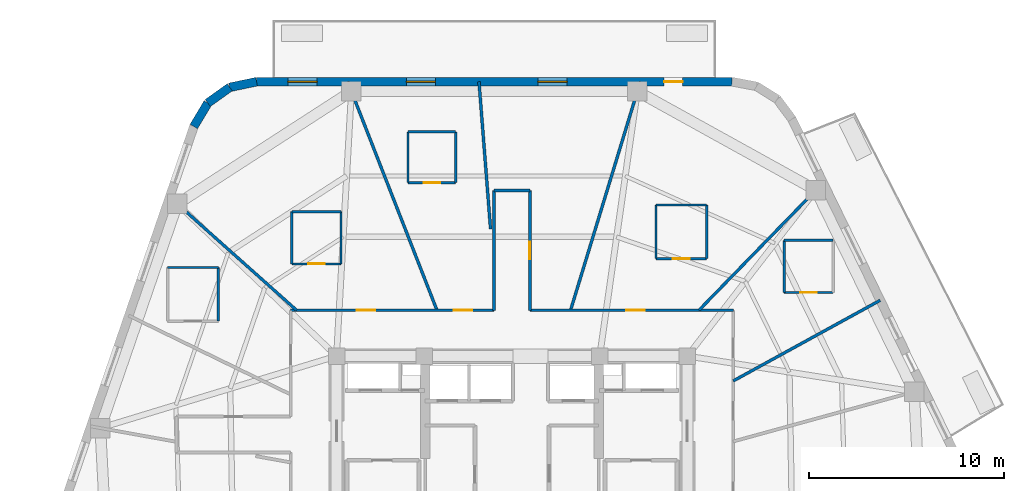
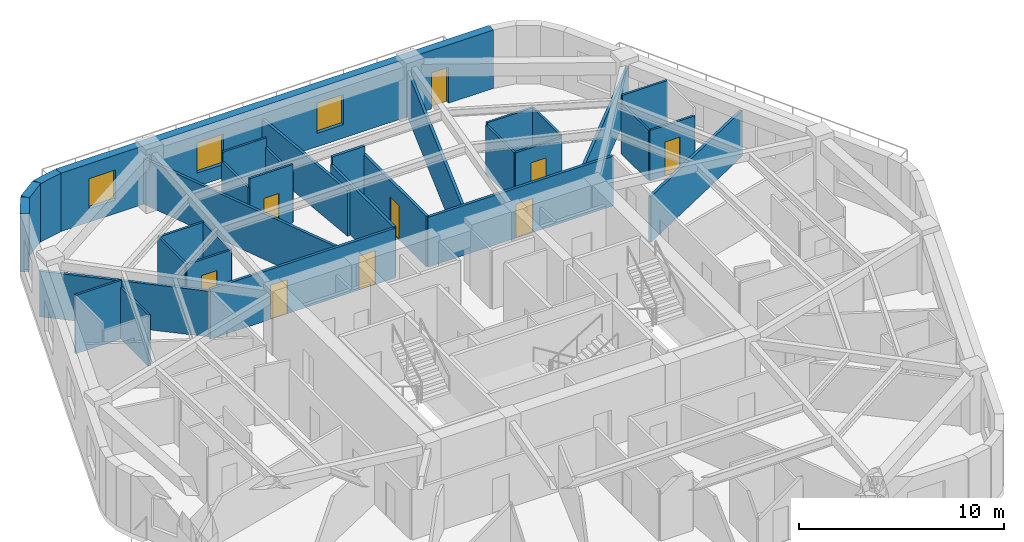
# One storey, part 6 of 10: 32 walls, 9 doors, 3 windows, 12 openings.
"""IFC4 building model written with IfcOpenShell, lengths in metres."""

from ifc_helpers import new_model, si_unit, direction, frame, frame_2d, origin, place, context, subcontext, project, spatial, rectangle, extrude, material, layer, layer_set, type_object, element, fill, save


model = new_model("IFC4")

# Units and contexts
model_context = context("Model", 3, precision=1e-05, world=origin(), true_north=direction((0.0, 1.0)))
body_context = subcontext(model_context, "Body", "Model", "MODEL_VIEW")
ifc_project = project(units=[si_unit("LENGTHUNIT", "METRE"), si_unit("AREAUNIT", "SQUARE_METRE"), si_unit("VOLUMEUNIT", "CUBIC_METRE"), si_unit("PLANEANGLEUNIT", "RADIAN"), si_unit("MASSUNIT", "GRAM", prefix="KILO")], contexts=[model_context])

# Site, building, storey
site_placement = place(None, origin())
site = spatial("IfcSite", under=ifc_project, at=site_placement, CompositionType="ELEMENT")
building_placement = place(site_placement, origin())
building = spatial("IfcBuilding", under=site, at=building_placement, Name="Kilnhurst Terrace Hotel", CompositionType="ELEMENT")
storey_placement = place(building_placement, frame((0.0, 0.0, 252.10009765625)))
storey = spatial("IfcBuildingStorey", under=building, at=storey_placement, Name="L63", CompositionType="ELEMENT", Elevation=252.10009765625)

# Walls
ifc_material_1 = material(Name="Precast concrete C40/50", Category="concrete")
ifc_layer_1 = layer(ifc_material_1, 0.449951171875, Name="Precast concrete C40/50")
ifc_layer_set_1 = layer_set([ifc_layer_1], Name="Precast concrete C40/50")
wall_type_1 = type_object("IfcWallType", Name="WL-BRK-450", PredefinedType="SOLIDWALL", material=ifc_layer_set_1)
wall_1_placement = place(storey_placement, frame((-13.1015625, 21.574951171875, 0.0), z_axis=(0.0, 0.0, 1.0), x_axis=(-0.978757421505, -0.205021730188, 0.0)))
element("IfcWall", 1, at=wall_1_placement, inside=storey, type_object=wall_type_1, Name="L63 Rounded Corner Brick Wall C5.1", PredefinedType="SOLIDWALL", context=body_context, shape_type="SweptSolid", body=[
    extrude(rectangle(XDim=1.40625, YDim=0.449951171875, at=frame_2d((0.703125, 0.0))), origin(), (0.0, 0.0, 1.0), 3.47998046875),
])
wall_2_placement = place(storey_placement, frame((-14.47802734375, 21.28662109375, 0.0), z_axis=(0.0, 0.0, 1.0), x_axis=(-0.813888518617, -0.58102106611, 0.0)))
element("IfcWall", 2, at=wall_2_placement, inside=storey, type_object=wall_type_1, Name="L63 Rounded Corner Brick Wall C5.2", PredefinedType="SOLIDWALL", context=body_context, shape_type="SweptSolid", body=[
    extrude(rectangle(XDim=1.3828125, YDim=0.449951171875, at=frame_2d((0.69140625, 0.0))), origin(), (0.0, 0.0, 1.0), 3.47998046875),
])
wall_3_placement = place(storey_placement, frame((-15.603515625, 20.483154296875, 0.0), z_axis=(0.0, 0.0, 1.0), x_axis=(-0.512222149036, -0.858852996756, 0.0)))
element("IfcWall", 3, at=wall_3_placement, inside=storey, type_object=wall_type_1, Name="L63 Rounded Corner Brick Wall C5.3", PredefinedType="SOLIDWALL", context=body_context, shape_type="SweptSolid", body=[
    extrude(rectangle(XDim=1.406494140625, YDim=0.449951171875, at=frame_2d((0.703125, 0.0))), origin(), (0.0, 0.0, 1.0), 3.47998046875),
])

# Wall, openings, door, windows
wall_4_placement = place(storey_placement, frame((11.297607421875, 21.574951171875, 0.0), z_axis=(0.0, 0.0, 1.0), x_axis=(-1.0, 0.0, 0.0)))
wall_4 = element("IfcWall", 4, at=wall_4_placement, inside=storey, type_object=wall_type_1, Name="L63 Exterior Brick Facade Wall F4", PredefinedType="SOLIDWALL", context=body_context, shape_type="SweptSolid", body=[
    extrude(rectangle(XDim=24.399169921875, YDim=0.449951171875, at=frame_2d((12.19970703125, 0.0))), origin(), (0.0, 0.0, 1.0), 3.47998046875),
])
opening_1_placement = place(wall_4_placement, frame((2.550048828125, 0.0, 0.0)))
opening_1 = element("IfcOpeningElement", 5, at=opening_1_placement, cuts=wall_4, Name="Opening BD-950", PredefinedType="OPENING", context=body_context, shape_type="SweptSolid", body=[
    extrude(rectangle(XDim=0.949951171875, YDim=2.14990234375, at=frame_2d((0.47509765625, 1.074951171875))), frame((0.0, 0.23486328125, 0.0), z_axis=(0.0, -1.0, 0.0), x_axis=(1.0, 0.0, 0.0)), (0.0, 0.0, 1.0), 0.469970703125),
])
opening_2_placement = place(wall_4_placement, frame((8.468994140625, 0.0, 0.800048828125)))
opening_2 = element("IfcOpeningElement", 6, at=opening_2_placement, cuts=wall_4, Name="Opening W-02", PredefinedType="OPENING", context=body_context, shape_type="SweptSolid", body=[
    extrude(rectangle(XDim=1.5, YDim=1.800048828125, at=frame_2d((0.75, 0.89990234375))), frame((0.0, 0.23486328125, 0.0), z_axis=(0.0, -1.0, 0.0), x_axis=(1.0, 0.0, 0.0)), (0.0, 0.0, 1.0), 0.469970703125),
])
opening_3_placement = place(wall_4_placement, frame((15.221923828125, 0.0, 0.800048828125)))
opening_3 = element("IfcOpeningElement", 7, at=opening_3_placement, cuts=wall_4, Name="Opening W-02", PredefinedType="OPENING", context=body_context, shape_type="SweptSolid", body=[
    extrude(rectangle(XDim=1.5, YDim=1.800048828125, at=frame_2d((0.75, 0.89990234375))), frame((0.0, 0.23486328125, 0.0), z_axis=(0.0, -1.0, 0.0), x_axis=(1.0, 0.0, 0.0)), (0.0, 0.0, 1.0), 0.469970703125),
])
opening_4_placement = place(wall_4_placement, frame((21.2958984375, 0.0, 0.800048828125)))
opening_4 = element("IfcOpeningElement", 8, at=opening_4_placement, cuts=wall_4, Name="Opening W-02", PredefinedType="OPENING", context=body_context, shape_type="SweptSolid", body=[
    extrude(rectangle(XDim=1.5, YDim=1.800048828125, at=frame_2d((0.75, 0.89990234375))), frame((0.0, 0.23486328125, 0.0), z_axis=(0.0, -1.0, 0.0), x_axis=(1.0, 0.0, 0.0)), (0.0, 0.0, 1.0), 0.469970703125),
])
ifc_material_2 = material(Name="Thermally Broken Bronze Aluminium Alloy 6063-T6 and Laminated Glass", Category="aluminium")
door_type_1 = type_object("IfcDoorType", Name="DR-EXT-BAL-950", OperationType="NOTDEFINED", PredefinedType="DOOR", material=ifc_material_2)
door_1_placement = place(opening_1_placement, origin())
door_1 = element("IfcDoor", 9, at=door_1_placement, inside=storey, type_object=door_type_1, Name="L63 Planted Balcony Door BAL-L1B", OperationType="SINGLE_SWING_RIGHT", OverallHeight=2.14990234375, OverallWidth=0.949951171875, PredefinedType="DOOR", context=body_context, shape_type="SweptSolid", body=[
    extrude(rectangle(XDim=0.949951171875, YDim=2.14990234375, at=frame_2d((0.47509765625, 1.074951171875))), frame((0.0, 0.02490234375, 0.0), z_axis=(0.0, -1.0, 0.0), x_axis=(1.0, 0.0, 0.0)), (0.0, 0.0, 1.0), 0.050048828125),
])
fill(opening_1, door_1)
ifc_material_3 = material(Name="Thermally Broken Bronze Aluminium Alloy 6063-T6 and Low-E Glass", Category="aluminium")
window_type = type_object("IfcWindowType", Name="WIN-1500X1800", PartitioningType="SINGLE_PANEL", PredefinedType="WINDOW", material=ifc_material_3)
window_1_placement = place(opening_2_placement, origin())
window_1 = element("IfcWindow", 10, at=window_1_placement, inside=storey, type_object=window_type, Name="L63 Deep-Set Masonry Window F4.1", OverallHeight=1.800048828125, OverallWidth=1.5, PartitioningType="SINGLE_PANEL", PredefinedType="WINDOW", context=body_context, shape_type="SweptSolid", body=[
    extrude(rectangle(XDim=1.5, YDim=1.800048828125, at=frame_2d((0.75, 0.89990234375))), frame((0.0, 0.030029296875, 0.0), z_axis=(0.0, -1.0, 0.0), x_axis=(1.0, 0.0, 0.0)), (0.0, 0.0, 1.0), 0.06005859375),
])
fill(opening_2, window_1)
window_2_placement = place(opening_3_placement, origin())
window_2 = element("IfcWindow", 11, at=window_2_placement, inside=storey, type_object=window_type, Name="L63 Deep-Set Masonry Window F4.2", OverallHeight=1.800048828125, OverallWidth=1.5, PartitioningType="SINGLE_PANEL", PredefinedType="WINDOW", context=body_context, shape_type="SweptSolid", body=[
    extrude(rectangle(XDim=1.5, YDim=1.800048828125, at=frame_2d((0.75, 0.89990234375))), frame((0.0, 0.030029296875, 0.0), z_axis=(0.0, -1.0, 0.0), x_axis=(1.0, 0.0, 0.0)), (0.0, 0.0, 1.0), 0.06005859375),
])
fill(opening_3, window_2)
window_3_placement = place(opening_4_placement, origin())
window_3 = element("IfcWindow", 12, at=window_3_placement, inside=storey, type_object=window_type, Name="L63 Deep-Set Masonry Window F4.3", OverallHeight=1.800048828125, OverallWidth=1.5, PartitioningType="SINGLE_PANEL", PredefinedType="WINDOW", context=body_context, shape_type="SweptSolid", body=[
    extrude(rectangle(XDim=1.5, YDim=1.800048828125, at=frame_2d((0.75, 0.89990234375))), frame((0.0, 0.030029296875, 0.0), z_axis=(0.0, -1.0, 0.0), x_axis=(1.0, 0.0, 0.0)), (0.0, 0.0, 1.0), 0.06005859375),
])
fill(opening_4, window_3)

# Wall, openings, doors
ifc_material_4 = material(Name="Acoustic Double-Gypsum Corridor Partition Assembly")
ifc_layer_2 = layer(ifc_material_4, 0.14990234375, Name="Acoustic Double-Gypsum Corridor Partition Assembly")
ifc_layer_set_2 = layer_set([ifc_layer_2], Name="Acoustic Double-Gypsum Corridor Partition Assembly")
wall_type_2 = type_object("IfcWallType", Name="WL-COR-150", PredefinedType="PARTITIONING", material=ifc_layer_set_2)
wall_5_placement = place(storey_placement, frame((-11.35009765625, 9.85009765625, 0.0), z_axis=(0.0, 0.0, 1.0), x_axis=(1.0, 0.0, 0.0)))
wall_5 = element("IfcWall", 13, at=wall_5_placement, inside=storey, type_object=wall_type_2, Name="L63 Interior Wall WL-L63-COR-06", PredefinedType="PARTITIONING", context=body_context, shape_type="SweptSolid", body=[
    extrude(rectangle(XDim=10.43017578125, YDim=0.14990234375, at=frame_2d((5.215087890625, 0.0))), origin(), (0.0, 0.0, 1.0), 2.969970703125),
])
opening_5_placement = place(wall_5_placement, frame((8.362060546875, 0.0, 0.0)))
opening_5 = element("IfcOpeningElement", 14, at=opening_5_placement, cuts=wall_5, Name="Opening D-60B", PredefinedType="OPENING", context=body_context, shape_type="SweptSolid", body=[
    extrude(rectangle(XDim=0.949951171875, YDim=2.030029296875, at=frame_2d((0.47509765625, 1.01513671875))), frame((0.0, 0.0849609375, 0.0), z_axis=(0.0, -1.0, 0.0), x_axis=(1.0, 0.0, 0.0)), (0.0, 0.0, 1.0), 0.169921875),
])
opening_6_placement = place(wall_5_placement, frame((3.39599609375, 0.0, 0.0)))
opening_6 = element("IfcOpeningElement", 15, at=opening_6_placement, cuts=wall_5, Name="Opening D-60B", PredefinedType="OPENING", context=body_context, shape_type="SweptSolid", body=[
    extrude(rectangle(XDim=0.949951171875, YDim=2.030029296875, at=frame_2d((0.47509765625, 1.01513671875))), frame((0.0, 0.0849609375, 0.0), z_axis=(0.0, -1.0, 0.0), x_axis=(1.0, 0.0, 0.0)), (0.0, 0.0, 1.0), 0.169921875),
])
ifc_material_5 = material(Name="Acoustic Walnut Veneer Solid-Core Fire Door")
door_type_2 = type_object("IfcDoorType", Name="DR-FD60-950", OperationType="NOTDEFINED", PredefinedType="DOOR", material=ifc_material_5)
door_2_placement = place(opening_5_placement, origin())
door_2 = element("IfcDoor", 16, at=door_2_placement, inside=storey, type_object=door_type_2, Name="L63 Guest Room Entry Door 5", OperationType="SINGLE_SWING_LEFT", OverallHeight=2.030029296875, OverallWidth=0.949951171875, PredefinedType="DOOR", context=body_context, shape_type="SweptSolid", body=[
    extrude(rectangle(XDim=0.949951171875, YDim=2.030029296875, at=frame_2d((0.47509765625, 1.01513671875))), frame((0.0, 0.02490234375, 0.0), z_axis=(0.0, -1.0, 0.0), x_axis=(1.0, 0.0, 0.0)), (0.0, 0.0, 1.0), 0.050048828125),
])
fill(opening_5, door_2)
door_3_placement = place(opening_6_placement, origin())
door_3 = element("IfcDoor", 17, at=door_3_placement, inside=storey, type_object=door_type_2, Name="L63 Executive Suite Entry Door 6", OperationType="SINGLE_SWING_RIGHT", OverallHeight=2.030029296875, OverallWidth=0.949951171875, PredefinedType="DOOR", context=body_context, shape_type="SweptSolid", body=[
    extrude(rectangle(XDim=0.949951171875, YDim=2.030029296875, at=frame_2d((0.47509765625, 1.01513671875))), frame((0.0, 0.02490234375, 0.0), z_axis=(0.0, -1.0, 0.0), x_axis=(1.0, 0.0, 0.0)), (0.0, 0.0, 1.0), 0.050048828125),
])
fill(opening_6, door_3)

# Walls
wall_6_placement = place(storey_placement, frame((-0.919921875, 9.85009765625, 0.0), z_axis=(0.0, 0.0, 1.0), x_axis=(0.0, 1.0, 0.0)))
element("IfcWall", 18, at=wall_6_placement, inside=storey, type_object=wall_type_2, Name="L63 Interior Wall WL-L63-COR-07", PredefinedType="PARTITIONING", context=body_context, shape_type="SweptSolid", body=[
    extrude(rectangle(XDim=6.14990234375, YDim=0.14990234375, at=frame_2d((3.074951171875, 0.0))), origin(), (0.0, 0.0, 1.0), 3.00634765625),
])
wall_7_placement = place(storey_placement, frame((-0.919921875, 16.0, 0.0), z_axis=(0.0, 0.0, 1.0), x_axis=(1.0, 0.0, 0.0)))
element("IfcWall", 19, at=wall_7_placement, inside=storey, type_object=wall_type_2, Name="L63 Interior Wall WL-L63-COR-08", PredefinedType="PARTITIONING", context=body_context, shape_type="SweptSolid", body=[
    extrude(rectangle(XDim=1.83984375, YDim=0.14990234375, at=frame_2d((0.919921875, 0.0))), origin(), (0.0, 0.0, 1.0), 3.47998046875),
])

# Wall, opening, door
wall_8_placement = place(storey_placement, frame((0.919921875, 16.0, 0.0), z_axis=(0.0, 0.0, 1.0), x_axis=(0.0, -1.0, 0.0)))
wall_8 = element("IfcWall", 20, at=wall_8_placement, inside=storey, type_object=wall_type_2, Name="L63 Interior Wall WL-L63-COR-09", PredefinedType="PARTITIONING", context=body_context, shape_type="SweptSolid", body=[
    extrude(rectangle(XDim=6.14990234375, YDim=0.14990234375, at=frame_2d((3.074951171875, 0.0))), origin(), (0.0, 0.0, 1.0), 3.00634765625),
])
opening_7_placement = place(wall_8_placement, frame((2.625, 0.0, 0.0)))
opening_7 = element("IfcOpeningElement", 21, at=opening_7_placement, cuts=wall_8, Name="Opening D-60C", PredefinedType="OPENING", context=body_context, shape_type="SweptSolid", body=[
    extrude(rectangle(XDim=0.89990234375, YDim=2.030029296875, at=frame_2d((0.449951171875, 1.01513671875))), frame((0.0, 0.0849609375, 0.0), z_axis=(0.0, -1.0, 0.0), x_axis=(1.0, 0.0, 0.0)), (0.0, 0.0, 1.0), 0.169921875),
])
ifc_material_6 = material(Name="Painted Solid-Core Service Fire Door")
door_type_3 = type_object("IfcDoorType", Name="DR-FD60-900", OperationType="NOTDEFINED", PredefinedType="DOOR", material=ifc_material_6)
door_4_placement = place(opening_7_placement, origin())
door_4 = element("IfcDoor", 22, at=door_4_placement, inside=storey, type_object=door_type_3, Name="L63 Executive Work Office Door 4", OperationType="SINGLE_SWING_RIGHT", OverallHeight=2.030029296875, OverallWidth=0.89990234375, PredefinedType="DOOR", context=body_context, shape_type="SweptSolid", body=[
    extrude(rectangle(XDim=0.89990234375, YDim=2.030029296875, at=frame_2d((0.449951171875, 1.01513671875))), frame((0.0, 0.02490234375, 0.0), z_axis=(0.0, -1.0, 0.0), x_axis=(1.0, 0.0, 0.0)), (0.0, 0.0, 1.0), 0.050048828125),
])
fill(opening_7, door_4)

wall_9_placement = place(storey_placement, frame((0.919921875, 9.85009765625, 0.0), z_axis=(0.0, 0.0, 1.0), x_axis=(1.0, 0.0, 0.0)))
wall_9 = element("IfcWall", 23, at=wall_9_placement, inside=storey, type_object=wall_type_2, Name="L63 Interior Wall WL-L63-COR-10", PredefinedType="PARTITIONING", context=body_context, shape_type="SweptSolid", body=[
    extrude(rectangle(XDim=10.43017578125, YDim=0.14990234375, at=frame_2d((5.215087890625, 0.0))), origin(), (0.0, 0.0, 1.0), 2.969970703125),
])
opening_8_placement = place(wall_9_placement, frame((4.948974609375, 0.0, 0.0)))
opening_8 = element("IfcOpeningElement", 24, at=opening_8_placement, cuts=wall_9, Name="Opening D-60B", PredefinedType="OPENING", context=body_context, shape_type="SweptSolid", body=[
    extrude(rectangle(XDim=0.949951171875, YDim=2.030029296875, at=frame_2d((0.47509765625, 1.01513671875))), frame((0.0, 0.0849609375, 0.0), z_axis=(0.0, -1.0, 0.0), x_axis=(1.0, 0.0, 0.0)), (0.0, 0.0, 1.0), 0.169921875),
])
door_5_placement = place(opening_8_placement, origin())
door_5 = element("IfcDoor", 25, at=door_5_placement, inside=storey, type_object=door_type_2, Name="L63 Executive Suite Entry Door 3", OperationType="SINGLE_SWING_LEFT", OverallHeight=2.030029296875, OverallWidth=0.949951171875, PredefinedType="DOOR", context=body_context, shape_type="SweptSolid", body=[
    extrude(rectangle(XDim=0.949951171875, YDim=2.030029296875, at=frame_2d((0.47509765625, 1.01513671875))), frame((0.0, 0.02490234375, 0.0), z_axis=(0.0, -1.0, 0.0), x_axis=(1.0, 0.0, 0.0)), (0.0, 0.0, 1.0), 0.050048828125),
])
fill(opening_8, door_5)

# Walls
ifc_material_7 = material(Name="STC-58 Acoustic Twin-Frame Guestroom Demising Partition")
ifc_layer_3 = layer(ifc_material_7, 0.14990234375, Name="STC-58 Acoustic Twin-Frame Guestroom Demising Partition")
ifc_layer_set_3 = layer_set([ifc_layer_3], Name="STC-58 Acoustic Twin-Frame Guestroom Demising Partition")
wall_type_3 = type_object("IfcWallType", Name="WL-DEM-150", PredefinedType="PARTITIONING", material=ifc_layer_set_3)
wall_10_placement = place(storey_placement, frame((11.35009765625, 6.2265625, 0.0), z_axis=(0.0, 0.0, 1.0), x_axis=(0.876723190824, 0.480995266786, 0.0)))
element("IfcWall", 26, at=wall_10_placement, inside=storey, type_object=wall_type_3, Name="L63 Interior Wall WL-L63-DEM-MID01-02-1", PredefinedType="PARTITIONING", context=body_context, shape_type="SweptSolid", body=[
    extrude(rectangle(XDim=8.598388671875, YDim=0.14990234375, at=frame_2d((4.29931640625, 0.0))), origin(), (0.0, 0.0, 1.0), 2.719970703125),
])
wall_11_placement = place(storey_placement, frame((9.587890625, 9.85009765625, 0.0), z_axis=(0.0, 0.0, 1.0), x_axis=(0.697519469595, 0.716565830567, 0.0)))
element("IfcWall", 27, at=wall_11_placement, inside=storey, type_object=wall_type_3, Name="L63 Interior Wall WL-L63-DEM-COL02-03-1", PredefinedType="PARTITIONING", context=body_context, shape_type="SweptSolid", body=[
    extrude(rectangle(XDim=9.12646484375, YDim=0.14990234375, at=frame_2d((4.563232421875, 0.0))), origin(), (0.0, 0.0, 1.0), 2.719970703125),
])
wall_12_placement = place(storey_placement, frame((3.00439453125, 9.85009765625, 0.0), z_axis=(0.0, 0.0, 1.0), x_axis=(0.291775760688, 0.956486751333, 0.0)))
element("IfcWall", 28, at=wall_12_placement, inside=storey, type_object=wall_type_3, Name="L63 Interior Wall WL-L63-DEM-COL03-04-1", PredefinedType="PARTITIONING", context=body_context, shape_type="SweptSolid", body=[
    extrude(rectangle(XDim=12.25830078125, YDim=0.14990234375, at=frame_2d((6.129150390625, 0.0))), origin(), (0.0, 0.0, 1.0), 2.719970703125),
])
wall_13_placement = place(storey_placement, frame((-1.10009765625, 14.017578125, 0.0), z_axis=(0.0, 0.0, 1.0), x_axis=(-0.078228275349, 0.996935472804, 0.0)))
element("IfcWall", 29, at=wall_13_placement, inside=storey, type_object=wall_type_3, Name="L63 Interior Wall WL-L63-DEM-MID03-05-1", PredefinedType="PARTITIONING", context=body_context, shape_type="SweptSolid", body=[
    extrude(rectangle(XDim=7.58056640625, YDim=0.14990234375, at=frame_2d((3.790283203125, 0.0))), origin(), (0.0, 0.0, 1.0), 2.719970703125),
])
wall_14_placement = place(storey_placement, frame((-3.848388671875, 9.85009765625, 0.0), z_axis=(0.0, 0.0, 1.0), x_axis=(-0.363921778212, 0.931429513889, 0.0)))
element("IfcWall", 30, at=wall_14_placement, inside=storey, type_object=wall_type_3, Name="L63 Interior Wall WL-L63-DEM-COL04-06-1", PredefinedType="PARTITIONING", context=body_context, shape_type="SweptSolid", body=[
    extrude(rectangle(XDim=12.588134765625, YDim=0.14990234375, at=frame_2d((6.2939453125, 0.0))), origin(), (0.0, 0.0, 1.0), 2.719970703125),
])
wall_15_placement = place(storey_placement, frame((-11.04833984375, 9.85009765625, 0.0), z_axis=(0.0, 0.0, 1.0), x_axis=(-0.746444434655, 0.665447748492, 0.0)))
element("IfcWall", 31, at=wall_15_placement, inside=storey, type_object=wall_type_3, Name="L63 Interior Wall WL-L63-DEM-COL05-07-1", PredefinedType="PARTITIONING", context=body_context, shape_type="SweptSolid", body=[
    extrude(rectangle(XDim=8.732177734375, YDim=0.14990234375, at=frame_2d((4.3662109375, 0.0))), origin(), (0.0, 0.0, 1.0), 2.719970703125),
])

# Wall, opening, door
ifc_material_8 = material(Name="120 mm Moisture-Resistant Tile-Backed Bathroom Partition")
ifc_layer_4 = layer(ifc_material_8, 0.1201171875, Name="120 mm Moisture-Resistant Tile-Backed Bathroom Partition")
ifc_layer_set_4 = layer_set([ifc_layer_4], Name="120 mm Moisture-Resistant Tile-Backed Bathroom Partition")
wall_type_4 = type_object("IfcWallType", Name="WL-PART-120", PredefinedType="PARTITIONING", material=ifc_layer_set_4)
wall_16_placement = place(storey_placement, frame((13.9580078125, 10.761962890625, 0.0), z_axis=(0.0, 0.0, 1.0), x_axis=(1.0, 0.0, 0.0)))
wall_16 = element("IfcWall", 32, at=wall_16_placement, inside=storey, type_object=wall_type_4, Name="L63 Interior Wall WL-L63-BTH-02-1", PredefinedType="PARTITIONING", context=body_context, shape_type="SweptSolid", body=[
    extrude(rectangle(XDim=2.52001953125, YDim=0.1201171875, at=frame_2d((1.260009765625, 0.0))), origin(), (0.0, 0.0, 1.0), 3.00634765625),
])
opening_9_placement = place(wall_16_placement, frame((0.8349609375, 0.0, 0.0)))
opening_9 = element("IfcOpeningElement", 33, at=opening_9_placement, cuts=wall_16, Name="Opening D-08A", PredefinedType="OPENING", context=body_context, shape_type="SweptSolid", body=[
    extrude(rectangle(XDim=0.85009765625, YDim=2.030029296875, at=frame_2d((0.425048828125, 1.01513671875))), frame((0.0, 0.070068359375, 0.0), z_axis=(0.0, -1.0, 0.0), x_axis=(1.0, 0.0, 0.0)), (0.0, 0.0, 1.0), 0.14013671875),
])
ifc_material_9 = material(Name="Moisture-Resistant Lacquered En-suite Bathroom Door")
door_type_4 = type_object("IfcDoorType", Name="DR-INT-850", OperationType="NOTDEFINED", PredefinedType="DOOR", material=ifc_material_9)
door_6_placement = place(opening_9_placement, origin())
door_6 = element("IfcDoor", 34, at=door_6_placement, inside=storey, type_object=door_type_4, Name="L63 En-suite Bathroom Door 2", OperationType="SINGLE_SWING_LEFT", OverallHeight=2.030029296875, OverallWidth=0.85009765625, PredefinedType="DOOR", context=body_context, shape_type="SweptSolid", body=[
    extrude(rectangle(XDim=0.85009765625, YDim=2.030029296875, at=frame_2d((0.425048828125, 1.01513671875))), frame((0.0, 0.02490234375, 0.0), z_axis=(0.0, -1.0, 0.0), x_axis=(1.0, 0.0, 0.0)), (0.0, 0.0, 1.0), 0.050048828125),
])
fill(opening_9, door_6)

# Walls
wall_17_placement = place(storey_placement, frame((16.47802734375, 13.44189453125, 0.0), z_axis=(0.0, 0.0, 1.0), x_axis=(-1.0, 0.0, 0.0)))
element("IfcWall", 35, at=wall_17_placement, inside=storey, type_object=wall_type_4, Name="L63 Interior Wall WL-L63-BTH-02-3", PredefinedType="PARTITIONING", context=body_context, shape_type="SweptSolid", body=[
    extrude(rectangle(XDim=2.52001953125, YDim=0.1201171875, at=frame_2d((1.260009765625, 0.0))), origin(), (0.0, 0.0, 1.0), 3.47998046875),
])
wall_18_placement = place(storey_placement, frame((13.9580078125, 13.44189453125, 0.0), z_axis=(0.0, 0.0, 1.0), x_axis=(0.0, -1.0, 0.0)))
element("IfcWall", 36, at=wall_18_placement, inside=storey, type_object=wall_type_4, Name="L63 Interior Wall WL-L63-BTH-02-4", PredefinedType="PARTITIONING", context=body_context, shape_type="SweptSolid", body=[
    extrude(rectangle(XDim=2.679931640625, YDim=0.1201171875, at=frame_2d((1.33984375, 0.0))), origin(), (0.0, 0.0, 1.0), 3.00634765625),
])

# Wall, opening, door
wall_19_placement = place(storey_placement, frame((7.383056640625, 12.4970703125, 0.0), z_axis=(0.0, 0.0, 1.0), x_axis=(1.0, 0.0, 0.0)))
wall_19 = element("IfcWall", 37, at=wall_19_placement, inside=storey, type_object=wall_type_4, Name="L63 Interior Wall WL-L63-BTH-03-1", PredefinedType="PARTITIONING", context=body_context, shape_type="SweptSolid", body=[
    extrude(rectangle(XDim=2.599853515625, YDim=0.1201171875, at=frame_2d((1.2998046875, 0.0))), origin(), (0.0, 0.0, 1.0), 2.92041015625),
])
opening_10_placement = place(wall_19_placement, frame((0.875, 0.0, 0.0)))
opening_10 = element("IfcOpeningElement", 38, at=opening_10_placement, cuts=wall_19, Name="Opening D-08A", PredefinedType="OPENING", context=body_context, shape_type="SweptSolid", body=[
    extrude(rectangle(XDim=0.85009765625, YDim=2.030029296875, at=frame_2d((0.425048828125, 1.01513671875))), frame((0.0, 0.070068359375, 0.0), z_axis=(0.0, -1.0, 0.0), x_axis=(1.0, 0.0, 0.0)), (0.0, 0.0, 1.0), 0.14013671875),
])
door_7_placement = place(opening_10_placement, origin())
door_7 = element("IfcDoor", 39, at=door_7_placement, inside=storey, type_object=door_type_4, Name="L63 En-suite Bathroom Door 3", OperationType="SINGLE_SWING_RIGHT", OverallHeight=2.030029296875, OverallWidth=0.85009765625, PredefinedType="DOOR", context=body_context, shape_type="SweptSolid", body=[
    extrude(rectangle(XDim=0.85009765625, YDim=2.030029296875, at=frame_2d((0.425048828125, 1.01513671875))), frame((0.0, 0.02490234375, 0.0), z_axis=(0.0, -1.0, 0.0), x_axis=(1.0, 0.0, 0.0)), (0.0, 0.0, 1.0), 0.050048828125),
])
fill(opening_10, door_7)

# Walls
wall_20_placement = place(storey_placement, frame((9.98291015625, 12.4970703125, 0.0), z_axis=(0.0, 0.0, 1.0), x_axis=(0.0, 1.0, 0.0)))
element("IfcWall", 40, at=wall_20_placement, inside=storey, type_object=wall_type_4, Name="L63 Interior Wall WL-L63-BTH-03-2", PredefinedType="PARTITIONING", context=body_context, shape_type="SweptSolid", body=[
    extrude(rectangle(XDim=2.75, YDim=0.1201171875, at=frame_2d((1.375, 0.0))), origin(), (0.0, 0.0, 1.0), 3.05224609375),
])
wall_21_placement = place(storey_placement, frame((9.98291015625, 15.2470703125, 0.0), z_axis=(0.0, 0.0, 1.0), x_axis=(-1.0, 0.0, 0.0)))
element("IfcWall", 41, at=wall_21_placement, inside=storey, type_object=wall_type_4, Name="L63 Interior Wall WL-L63-BTH-03-3", PredefinedType="PARTITIONING", context=body_context, shape_type="SweptSolid", body=[
    extrude(rectangle(XDim=2.599853515625, YDim=0.1201171875, at=frame_2d((1.2998046875, 0.0))), origin(), (0.0, 0.0, 1.0), 3.05224609375),
])
wall_22_placement = place(storey_placement, frame((7.383056640625, 15.2470703125, 0.0), z_axis=(0.0, 0.0, 1.0), x_axis=(0.0, -1.0, 0.0)))
element("IfcWall", 42, at=wall_22_placement, inside=storey, type_object=wall_type_4, Name="L63 Interior Wall WL-L63-BTH-03-4", PredefinedType="PARTITIONING", context=body_context, shape_type="SweptSolid", body=[
    extrude(rectangle(XDim=2.75, YDim=0.1201171875, at=frame_2d((1.375, 0.0))), origin(), (0.0, 0.0, 1.0), 2.92041015625),
])

# Wall, opening, door
wall_23_placement = place(storey_placement, frame((-5.333984375, 16.39208984375, 0.0), z_axis=(0.0, 0.0, 1.0), x_axis=(1.0, 0.0, 0.0)))
wall_23 = element("IfcWall", 43, at=wall_23_placement, inside=storey, type_object=wall_type_4, Name="L63 Interior Wall WL-L63-BTH-05-1", PredefinedType="PARTITIONING", context=body_context, shape_type="SweptSolid", body=[
    extrude(rectangle(XDim=2.43994140625, YDim=0.1201171875, at=frame_2d((1.219970703125, 0.0))), origin(), (0.0, 0.0, 1.0), 3.47998046875),
])
opening_11_placement = place(wall_23_placement, frame((0.794921875, 0.0, 0.0)))
opening_11 = element("IfcOpeningElement", 44, at=opening_11_placement, cuts=wall_23, Name="Opening D-08A", PredefinedType="OPENING", context=body_context, shape_type="SweptSolid", body=[
    extrude(rectangle(XDim=0.85009765625, YDim=2.030029296875, at=frame_2d((0.425048828125, 1.01513671875))), frame((0.0, 0.070068359375, 0.0), z_axis=(0.0, -1.0, 0.0), x_axis=(1.0, 0.0, 0.0)), (0.0, 0.0, 1.0), 0.14013671875),
])
door_8_placement = place(opening_11_placement, origin())
door_8 = element("IfcDoor", 45, at=door_8_placement, inside=storey, type_object=door_type_4, Name="L63 En-suite Bathroom Door 5", OperationType="SINGLE_SWING_RIGHT", OverallHeight=2.030029296875, OverallWidth=0.85009765625, PredefinedType="DOOR", context=body_context, shape_type="SweptSolid", body=[
    extrude(rectangle(XDim=0.85009765625, YDim=2.030029296875, at=frame_2d((0.425048828125, 1.01513671875))), frame((0.0, 0.02490234375, 0.0), z_axis=(0.0, -1.0, 0.0), x_axis=(1.0, 0.0, 0.0)), (0.0, 0.0, 1.0), 0.050048828125),
])
fill(opening_11, door_8)

# Walls
wall_24_placement = place(storey_placement, frame((-2.89404296875, 16.39208984375, 0.0), z_axis=(0.0, 0.0, 1.0), x_axis=(0.0, 1.0, 0.0)))
element("IfcWall", 46, at=wall_24_placement, inside=storey, type_object=wall_type_4, Name="L63 Interior Wall WL-L63-BTH-05-2", PredefinedType="PARTITIONING", context=body_context, shape_type="SweptSolid", body=[
    extrude(rectangle(XDim=2.60986328125, YDim=0.1201171875, at=frame_2d((1.304931640625, 0.0))), origin(), (0.0, 0.0, 1.0), 2.92041015625),
])
wall_25_placement = place(storey_placement, frame((-2.89404296875, 19.001953125, 0.0), z_axis=(0.0, 0.0, 1.0), x_axis=(-1.0, 0.0, 0.0)))
element("IfcWall", 47, at=wall_25_placement, inside=storey, type_object=wall_type_4, Name="L63 Interior Wall WL-L63-BTH-05-3", PredefinedType="PARTITIONING", context=body_context, shape_type="SweptSolid", body=[
    extrude(rectangle(XDim=2.43994140625, YDim=0.1201171875, at=frame_2d((1.219970703125, 0.0))), origin(), (0.0, 0.0, 1.0), 3.47998046875),
])
wall_26_placement = place(storey_placement, frame((-5.333984375, 19.001953125, 0.0), z_axis=(0.0, 0.0, 1.0), x_axis=(0.0, -1.0, 0.0)))
element("IfcWall", 48, at=wall_26_placement, inside=storey, type_object=wall_type_4, Name="L63 Interior Wall WL-L63-BTH-05-4", PredefinedType="PARTITIONING", context=body_context, shape_type="SweptSolid", body=[
    extrude(rectangle(XDim=2.60986328125, YDim=0.1201171875, at=frame_2d((1.304931640625, 0.0))), origin(), (0.0, 0.0, 1.0), 2.92041015625),
])

# Wall, opening, door
wall_27_placement = place(storey_placement, frame((-11.2919921875, 12.22509765625, 0.0), z_axis=(0.0, 0.0, 1.0), x_axis=(1.0, 0.0, 0.0)))
wall_27 = element("IfcWall", 49, at=wall_27_placement, inside=storey, type_object=wall_type_4, Name="L63 Interior Wall WL-L63-BTH-06-1", PredefinedType="PARTITIONING", context=body_context, shape_type="SweptSolid", body=[
    extrude(rectangle(XDim=2.52001953125, YDim=0.1201171875, at=frame_2d((1.260009765625, 0.0))), origin(), (0.0, 0.0, 1.0), 2.969970703125),
])
opening_12_placement = place(wall_27_placement, frame((0.8349609375, 0.0, 0.0)))
opening_12 = element("IfcOpeningElement", 50, at=opening_12_placement, cuts=wall_27, Name="Opening D-08A", PredefinedType="OPENING", context=body_context, shape_type="SweptSolid", body=[
    extrude(rectangle(XDim=0.85009765625, YDim=2.030029296875, at=frame_2d((0.425048828125, 1.01513671875))), frame((0.0, 0.070068359375, 0.0), z_axis=(0.0, -1.0, 0.0), x_axis=(1.0, 0.0, 0.0)), (0.0, 0.0, 1.0), 0.14013671875),
])
door_9_placement = place(opening_12_placement, origin())
door_9 = element("IfcDoor", 51, at=door_9_placement, inside=storey, type_object=door_type_4, Name="L63 En-suite Bathroom Door 6", OperationType="SINGLE_SWING_LEFT", OverallHeight=2.030029296875, OverallWidth=0.85009765625, PredefinedType="DOOR", context=body_context, shape_type="SweptSolid", body=[
    extrude(rectangle(XDim=0.85009765625, YDim=2.030029296875, at=frame_2d((0.425048828125, 1.01513671875))), frame((0.0, 0.02490234375, 0.0), z_axis=(0.0, -1.0, 0.0), x_axis=(1.0, 0.0, 0.0)), (0.0, 0.0, 1.0), 0.050048828125),
])
fill(opening_12, door_9)

# Walls
wall_28_placement = place(storey_placement, frame((-8.77197265625, 12.22509765625, 0.0), z_axis=(0.0, 0.0, 1.0), x_axis=(0.0, 1.0, 0.0)))
element("IfcWall", 52, at=wall_28_placement, inside=storey, type_object=wall_type_4, Name="L63 Interior Wall WL-L63-BTH-06-2", PredefinedType="PARTITIONING", context=body_context, shape_type="SweptSolid", body=[
    extrude(rectangle(XDim=2.679931640625, YDim=0.1201171875, at=frame_2d((1.33984375, 0.0))), origin(), (0.0, 0.0, 1.0), 2.969970703125),
])
wall_29_placement = place(storey_placement, frame((-8.77197265625, 14.905029296875, 0.0), z_axis=(0.0, 0.0, 1.0), x_axis=(-1.0, 0.0, 0.0)))
element("IfcWall", 53, at=wall_29_placement, inside=storey, type_object=wall_type_4, Name="L63 Interior Wall WL-L63-BTH-06-3", PredefinedType="PARTITIONING", context=body_context, shape_type="SweptSolid", body=[
    extrude(rectangle(XDim=2.52001953125, YDim=0.1201171875, at=frame_2d((1.260009765625, 0.0))), origin(), (0.0, 0.0, 1.0), 3.00634765625),
])
wall_30_placement = place(storey_placement, frame((-11.2919921875, 14.905029296875, 0.0), z_axis=(0.0, 0.0, 1.0), x_axis=(0.0, -1.0, 0.0)))
element("IfcWall", 54, at=wall_30_placement, inside=storey, type_object=wall_type_4, Name="L63 Interior Wall WL-L63-BTH-06-4", PredefinedType="PARTITIONING", context=body_context, shape_type="SweptSolid", body=[
    extrude(rectangle(XDim=2.679931640625, YDim=0.1201171875, at=frame_2d((1.33984375, 0.0))), origin(), (0.0, 0.0, 1.0), 3.00634765625),
])
wall_31_placement = place(storey_placement, frame((-15.06396484375, 9.2939453125, 0.0), z_axis=(0.0, 0.0, 1.0), x_axis=(0.0, 1.0, 0.0)))
element("IfcWall", 55, at=wall_31_placement, inside=storey, type_object=wall_type_4, Name="L63 Interior Wall WL-L63-BTH-07-2", PredefinedType="PARTITIONING", context=body_context, shape_type="SweptSolid", body=[
    extrude(rectangle(XDim=2.75, YDim=0.1201171875, at=frame_2d((1.375, 0.0))), origin(), (0.0, 0.0, 1.0), 3.05224609375),
])
wall_32_placement = place(storey_placement, frame((-15.06396484375, 12.0439453125, 0.0), z_axis=(0.0, 0.0, 1.0), x_axis=(-1.0, 0.0, 0.0)))
element("IfcWall", 56, at=wall_32_placement, inside=storey, type_object=wall_type_4, Name="L63 Interior Wall WL-L63-BTH-07-3", PredefinedType="PARTITIONING", context=body_context, shape_type="SweptSolid", body=[
    extrude(rectangle(XDim=2.60009765625, YDim=0.1201171875, at=frame_2d((1.300048828125, 0.0))), origin(), (0.0, 0.0, 1.0), 3.47998046875),
])

save(model, "model.ifc")
